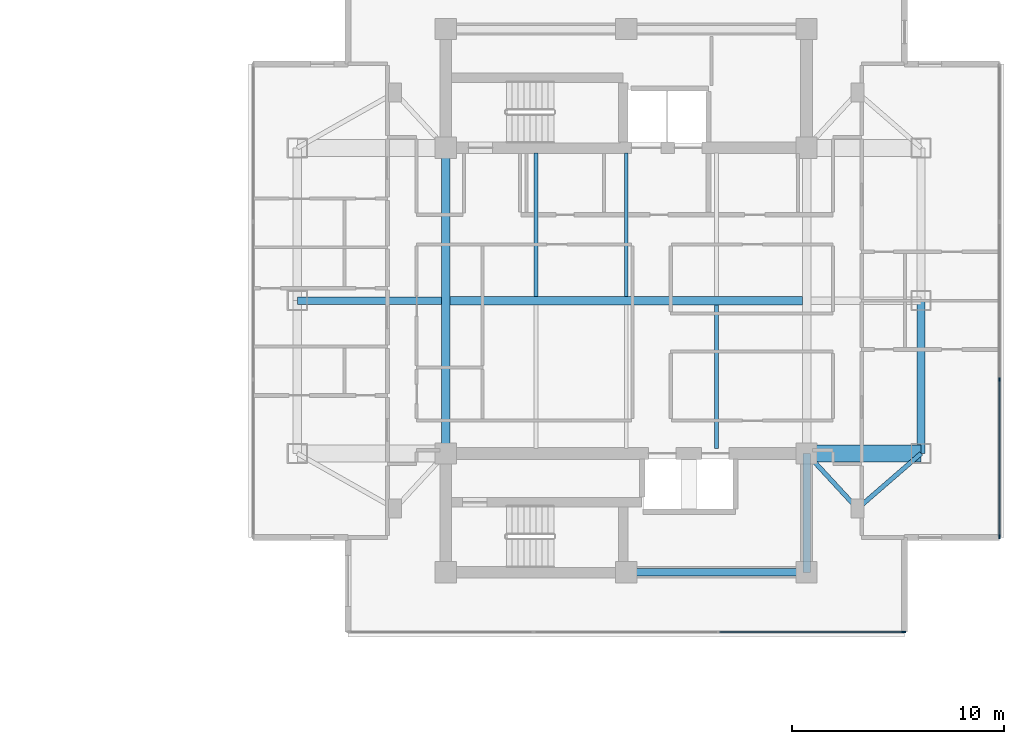
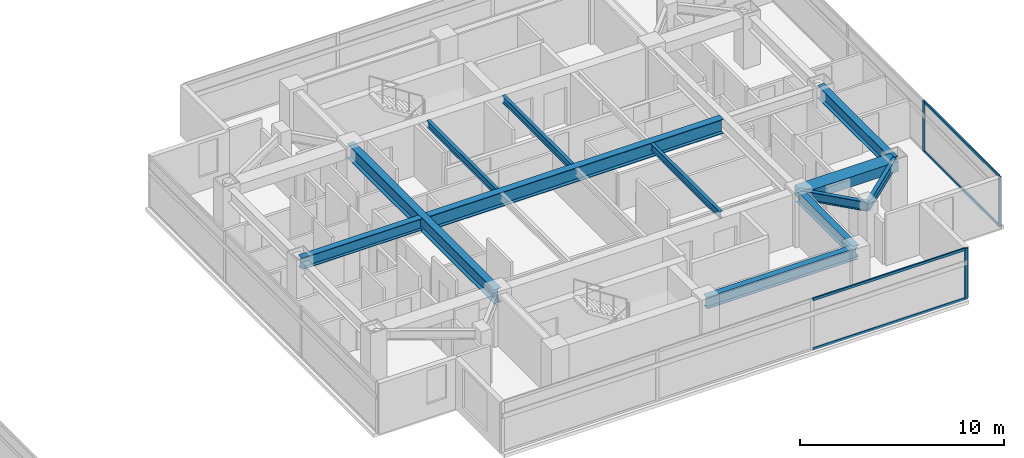
# One storey, part 9 of 24: 12 beams, 7 members, 2 elements without a shape of their own.
"""IFC4 building model written with IfcOpenShell, lengths in metres."""

from ifc_helpers import new_model, si_unit, direction, frame, origin, origin_2d, place, context, subcontext, project, spatial, rectangle, i_section, extrude, material, material_profile, profile_set, type_object, element, aggregate, save


model = new_model("IFC4")

# Units and contexts
model_context = context("Model", 3, precision=1e-05, world=origin(), true_north=direction((0.0, 1.0)))
body_context = subcontext(model_context, "Body", "Model", "MODEL_VIEW")
ifc_project = project(units=[si_unit("LENGTHUNIT", "METRE"), si_unit("AREAUNIT", "SQUARE_METRE"), si_unit("VOLUMEUNIT", "CUBIC_METRE"), si_unit("PLANEANGLEUNIT", "RADIAN"), si_unit("MASSUNIT", "GRAM", prefix="KILO")], contexts=[model_context])

# Site, building, storey
site_placement = place(None, origin())
site = spatial("IfcSite", under=ifc_project, at=site_placement, CompositionType="ELEMENT")
building_placement = place(site_placement, origin())
building = spatial("IfcBuilding", under=site, at=building_placement, Name="Mirazonda Arch Towers", CompositionType="ELEMENT")
storey_placement = place(building_placement, frame((0.0, 0.0, 167.39990234375)))
storey = spatial("IfcBuildingStorey", under=building, at=storey_placement, Name="L47", CompositionType="ELEMENT", Elevation=167.39990234375)

# Beams
ifc_material_1 = material(Name="Steel ASTM A992 Grade 50", Category="steel")
ifc_material_profile_1 = material_profile(ifc_material_1, i_section(OverallWidth=0.381103515625, OverallDepth=0.77294921875, WebThickness=0.0166015625, FlangeThickness=0.027099609375, at=origin_2d()), Name="W30X173")
ifc_profile_set_1 = profile_set([ifc_material_profile_1], Name="Steel ASTM A992 Grade 50")
beam_type_1 = type_object("IfcBeamType", Name="BM-EXT-W30X173", PredefinedType="USERDEFINED", material=ifc_profile_set_1)
beam_1_placement = place(storey_placement, frame((90.39990234375, 20.800048828125, 2.66357421875), z_axis=(0.0, 1.0, 0.0), x_axis=(-1.0, 0.0, 0.0)))
element("IfcBeam", 1, at=beam_1_placement, inside=storey, type_object=beam_type_1, Name="L47 Floor Beam BM-T2-L47-NS-E-20", ObjectType="GIRDER", PredefinedType="USERDEFINED", context=body_context, shape_type="SweptSolid", body=[
    extrude(i_section(OverallWidth=0.381103515625, OverallDepth=0.77294921875, WebThickness=0.0166015625, FlangeThickness=0.027099609375, at=origin_2d()), origin(), (0.0, 0.0, 1.0), 7.199951171875),
])
ifc_material_profile_2 = material_profile(ifc_material_1, i_section(OverallWidth=0.180908203125, OverallDepth=0.4169921875, WebThickness=0.010986328125, FlangeThickness=0.018310546875, at=origin_2d()), Name="W16X57")
ifc_profile_set_2 = profile_set([ifc_material_profile_2], Name="Steel ASTM A992 Grade 50")
beam_type_2 = type_object("IfcBeamType", Name="BM-INT-W16X57", PredefinedType="JOIST", material=ifc_profile_set_2)
for number, where, z_axis, x_axis, name in (
    (2, (72.25, 28.196044921875, 2.841552734375), (0.0, 1.0, 0.0), (-1.0, 0.0, 0.0), "L47 Floor Beam BM-T2-L47-J-722-28"),
    (3, (76.5, 28.196044921875, 2.841552734375), (0.0, 1.0, 0.0), (-1.0, 0.0, 0.0), "L47 Floor Beam BM-T2-L47-J-765-28"),
    (4, (80.75, 21.0400390625, 2.841552734375), (0.0, 1.0, 0.0), (-1.0, 0.0, 0.0), "L47 Floor Beam BM-T2-L47-J-807-20"),
):
    element("IfcBeam", number, at=place(storey_placement, frame(where, z_axis=z_axis, x_axis=x_axis)), inside=storey, type_object=beam_type_2, Name=name, PredefinedType="JOIST", context=body_context, shape_type="SweptSolid", body=[
        extrude(i_section(OverallWidth=0.180908203125, OverallDepth=0.4169921875, WebThickness=0.010986328125, FlangeThickness=0.018310546875, at=origin_2d()), origin(), (0.0, 0.0, 1.0), 6.763916015625),
    ])
ifc_material_profile_3 = material_profile(ifc_material_1, i_section(OverallWidth=0.214111328125, OverallDepth=0.549072265625, WebThickness=0.0146484375, FlangeThickness=0.023681640625, at=origin_2d()), Name="W21X93")
ifc_profile_set_3 = profile_set([ifc_material_profile_3], Name="Steel ASTM A992 Grade 50")
beam_type_3 = type_object("IfcBeamType", Name="BM-INT-W21X93", PredefinedType="BEAM", material=ifc_profile_set_3)
beam_2_placement = place(storey_placement, frame((87.39990234375, 18.199951171875, 2.775634765625), z_axis=(-0.678251444854, 0.734829897019, 0.0), x_axis=(-0.734829897019, -0.678251444854, 0.0)))
element("IfcBeam", 5, at=beam_2_placement, inside=storey, type_object=beam_type_3, Name="L47 Floor Beam BM-T2-L47-PL-SE1", PredefinedType="BEAM", context=body_context, shape_type="SweptSolid", body=[
    extrude(i_section(OverallWidth=0.214111328125, OverallDepth=0.549072265625, WebThickness=0.0146484375, FlangeThickness=0.023681640625, at=origin_2d()), origin(), (0.0, 0.0, 1.0), 3.538330078125),
])
beam_3_placement = place(storey_placement, frame((87.39990234375, 18.199951171875, 2.775634765625), z_axis=(0.755676908098, 0.654944585876, 0.0), x_axis=(-0.654944585876, 0.755676908098, 0.0)))
element("IfcBeam", 6, at=beam_3_placement, inside=storey, type_object=beam_type_3, Name="L47 Floor Beam BM-T2-L47-PL-SE2", PredefinedType="BEAM", context=body_context, shape_type="SweptSolid", body=[
    extrude(i_section(OverallWidth=0.214111328125, OverallDepth=0.549072265625, WebThickness=0.0146484375, FlangeThickness=0.023681640625, at=origin_2d()), origin(), (0.0, 0.0, 1.0), 3.969970703125),
])
ifc_material_profile_4 = material_profile(ifc_material_1, i_section(OverallWidth=0.35498046875, OverallDepth=0.696044921875, WebThickness=0.015380859375, FlangeThickness=0.02490234375, at=origin_2d()), Name="W27X146")
ifc_profile_set_4 = profile_set([ifc_material_profile_4], Name="Steel ASTM A992 Grade 50")
beam_type_4 = type_object("IfcBeamType", Name="BM-INT-W27X146", PredefinedType="BEAM", material=ifc_profile_set_4)
beam_4_placement = place(storey_placement, frame((76.5, 15.199951171875, 2.7021484375), z_axis=(1.0, 0.0, 0.0), x_axis=(0.0, 1.0, 0.0)))
element("IfcBeam", 7, at=beam_4_placement, inside=storey, type_object=beam_type_4, Name="L47 Floor Beam BM-T2-L47-CS2", PredefinedType="BEAM", context=body_context, shape_type="SweptSolid", body=[
    extrude(i_section(OverallWidth=0.35498046875, OverallDepth=0.696044921875, WebThickness=0.015380859375, FlangeThickness=0.02490234375, at=origin_2d()), origin(), (0.0, 0.0, 1.0), 8.5),
])
beam_5_placement = place(storey_placement, frame((85.0, 15.199951171875, 2.7021484375), z_axis=(0.0, 1.0, 0.0), x_axis=(-1.0, 0.0, 0.0)))
element("IfcBeam", 8, at=beam_5_placement, inside=storey, type_object=beam_type_4, Name="L47 Floor Beam BM-T2-L47-CSE", PredefinedType="BEAM", context=body_context, shape_type="SweptSolid", body=[
    extrude(i_section(OverallWidth=0.35498046875, OverallDepth=0.696044921875, WebThickness=0.015380859375, FlangeThickness=0.02490234375, at=origin_2d()), origin(), (0.0, 0.0, 1.0), 5.60009765625),
])
beam_6_placement = place(storey_placement, frame((61.0, 28.0, 2.7021484375), z_axis=(1.0, 0.0, 0.0), x_axis=(0.0, 1.0, 0.0)))
element("IfcBeam", 9, at=beam_6_placement, inside=storey, type_object=beam_type_4, Name="L47 Floor Beam BM-T2-L47-GW2", PredefinedType="BEAM", context=body_context, shape_type="SweptSolid", body=[
    extrude(i_section(OverallWidth=0.35498046875, OverallDepth=0.696044921875, WebThickness=0.015380859375, FlangeThickness=0.02490234375, at=origin_2d()), origin(), (0.0, 0.0, 1.0), 6.800048828125),
])
ifc_material_profile_5 = material_profile(ifc_material_1, i_section(OverallWidth=0.39990234375, OverallDepth=0.85595703125, WebThickness=0.018310546875, FlangeThickness=0.029296875, at=origin_2d()), Name="W33X201")
ifc_profile_set_5 = profile_set([ifc_material_profile_5], Name="Steel ASTM A992 Grade 50")
beam_type_5 = type_object("IfcBeamType", Name="BM-INT-W33X201", PredefinedType="USERDEFINED", material=ifc_profile_set_5)
beam_7_placement = place(storey_placement, frame((68.199951171875, 28.0, 2.6220703125), z_axis=(1.0, 0.0, 0.0), x_axis=(0.0, 1.0, 0.0)))
element("IfcBeam", 10, at=beam_7_placement, inside=storey, type_object=beam_type_5, Name="L47 Floor Beam BM-T2-L47-GC2", ObjectType="GIRDER", PredefinedType="USERDEFINED", context=body_context, shape_type="SweptSolid", body=[
    extrude(i_section(OverallWidth=0.39990234375, OverallDepth=0.85595703125, WebThickness=0.018310546875, FlangeThickness=0.029296875, at=origin_2d()), origin(), (0.0, 0.0, 1.0), 16.60009765625),
])
beam_8_placement = place(storey_placement, frame((68.0, 20.800048828125, 2.6220703125), z_axis=(0.0, 1.0, 0.0), x_axis=(-1.0, 0.0, 0.0)))
element("IfcBeam", 11, at=beam_8_placement, inside=storey, type_object=beam_type_5, Name="L47 Floor Beam BM-T2-L47-NS-CW-FULL", ObjectType="GIRDER", PredefinedType="USERDEFINED", context=body_context, shape_type="SweptSolid", body=[
    extrude(i_section(OverallWidth=0.39990234375, OverallDepth=0.85595703125, WebThickness=0.018310546875, FlangeThickness=0.029296875, at=origin_2d()), origin(), (0.0, 0.0, 1.0), 14.39990234375),
])
ifc_material_2 = material(Name="Concrete C60/75", Category="concrete")
ifc_material_profile_6 = material_profile(ifc_material_2, rectangle(XDim=0.800048828125, YDim=0.60009765625, at=origin_2d()), Name="RCCB800x600")
ifc_profile_set_6 = profile_set([ifc_material_profile_6], Name="Concrete C60/75")
beam_type_6 = type_object("IfcBeamType", Name="CB-INT-RCCB800x600", PredefinedType="SPANDREL", material=ifc_profile_set_6)
beam_9_placement = place(storey_placement, frame((85.0, 20.800048828125, 2.75), z_axis=(1.0, 0.0, 0.0), x_axis=(0.0, 1.0, 0.0)))
element("IfcBeam", 12, at=beam_9_placement, inside=storey, type_object=beam_type_6, Name="L47 Floor Beam CBC-T2-L47-SE", PredefinedType="SPANDREL", context=body_context, shape_type="SweptSolid", body=[
    extrude(rectangle(XDim=0.800048828125, YDim=0.60009765625, at=origin_2d()), origin(), (0.0, 0.0, 1.0), 5.39990234375),
])

# Curtain wall, member
ifc_material_3 = material(Name="Anodised Aluminium and Low-E Glass", Category="aluminium")
curtain_wall_type = type_object("IfcCurtainWallType", Name="CW-RES-UNIT", PredefinedType="NOTDEFINED", material=ifc_material_3)
curtain_wall_1_placement = place(storey_placement, origin())
curtain_wall_1 = element("IfcCurtainWall", 13, at=curtain_wall_1_placement, inside=storey, type_object=curtain_wall_type, Name="L47 T2 S Facade CW-L47-T2-S", PredefinedType="NOTDEFINED")
ifc_material_4 = material(Name="Anodised Aluminium Alloy", Category="aluminium")
ifc_material_profile_7 = material_profile(ifc_material_4, rectangle(XDim=0.074951171875, YDim=0.175048828125, at=origin_2d()), Name="ALU-MULL-75x175")
ifc_profile_set_7 = profile_set([ifc_material_profile_7], Name="Anodised Aluminium Alloy")
member_type_1 = type_object("IfcMemberType", Name="MULL-CW-RES-UNIT", PredefinedType="MULLION", material=ifc_profile_set_7)
member_1_placement = place(storey_placement, frame((89.581787109375, 12.375244140625, 0.0), z_axis=(0.0, 0.0, 1.0), x_axis=(0.0, -1.0, 0.0)))
member_1 = element("IfcMember", 14, at=member_1_placement, type_object=member_type_1, Name="CW-104 mullion 1", PredefinedType="MULLION", context=body_context, shape_type="SweptSolid", body=[
    extrude(rectangle(XDim=0.074951171875, YDim=0.175048828125, at=origin_2d()), origin(), (0.0, 0.0, 1.0), 3.030029296875),
])

# Curtain wall, members
curtain_wall_2_placement = place(storey_placement, origin())
curtain_wall_2 = element("IfcCurtainWall", 15, at=curtain_wall_2_placement, inside=storey, type_object=curtain_wall_type, Name="L47 T2 E Facade CW-L47-T2-E", PredefinedType="NOTDEFINED")
member_2_placement = place(storey_placement, frame((94.08447265625, 16.8779296875, 0.0), z_axis=(0.0, 0.0, 1.0), x_axis=(-1.0, 0.0, 0.0)))
member_2 = element("IfcMember", 16, at=member_2_placement, type_object=member_type_1, Name="CW-104 mullion 1", PredefinedType="MULLION", context=body_context, shape_type="SweptSolid", body=[
    extrude(rectangle(XDim=0.074951171875, YDim=0.175048828125, at=origin_2d()), origin(), (0.0, 0.0, 1.0), 3.030029296875),
])
member_3_placement = place(storey_placement, frame((94.08447265625, 24.2802734375, 0.0), z_axis=(0.0, 0.0, 1.0), x_axis=(-1.0, 0.0, 0.0)))
member_3 = element("IfcMember", 17, at=member_3_placement, type_object=member_type_1, Name="CW-104 mullion 2", PredefinedType="MULLION", context=body_context, shape_type="SweptSolid", body=[
    extrude(rectangle(XDim=0.074951171875, YDim=0.175048828125, at=origin_2d()), origin(), (0.0, 0.0, 1.0), 3.030029296875),
])

# Member
ifc_material_profile_8 = material_profile(ifc_material_4, rectangle(XDim=0.074951171875, YDim=0.155029296875, at=origin_2d()), Name="ALU-TRAN-75x155")
ifc_profile_set_8 = profile_set([ifc_material_profile_8], Name="Anodised Aluminium Alloy")
member_type_2 = type_object("IfcMemberType", Name="TRAN-CW-RES-UNIT", PredefinedType="USERDEFINED", material=ifc_profile_set_8)
member_4_placement = place(storey_placement, frame((89.544189453125, 12.375244140625, 0.03759765625), z_axis=(-1.0, 0.0, 0.0), x_axis=(0.0, -1.0, 0.0)))
member_4 = element("IfcMember", 18, at=member_4_placement, type_object=member_type_2, Name="CW-104 transom 1.1", ObjectType="TRANSOM", PredefinedType="USERDEFINED", context=body_context, shape_type="SweptSolid", body=[
    extrude(rectangle(XDim=0.074951171875, YDim=0.155029296875, at=origin_2d()), origin(), (0.0, 0.0, 1.0), 8.633544921875),
])

member_5_placement = place(storey_placement, frame((89.544189453125, 12.375244140625, 2.99267578125), z_axis=(-1.0, 0.0, 0.0), x_axis=(0.0, -1.0, 0.0)))
member_5 = element("IfcMember", 19, at=member_5_placement, type_object=member_type_2, Name="CW-104 transom 1.2", ObjectType="TRANSOM", PredefinedType="USERDEFINED", context=body_context, shape_type="SweptSolid", body=[
    extrude(rectangle(XDim=0.074951171875, YDim=0.155029296875, at=origin_2d()), origin(), (0.0, 0.0, 1.0), 8.633544921875),
])

aggregate(curtain_wall_1, [member_1, member_4, member_5])

member_6_placement = place(storey_placement, frame((94.08447265625, 16.91552734375, 0.03759765625), z_axis=(0.0, 1.0, 0.0), x_axis=(-1.0, 0.0, 0.0)))
member_6 = element("IfcMember", 20, at=member_6_placement, type_object=member_type_2, Name="CW-104 transom 1.1", ObjectType="TRANSOM", PredefinedType="USERDEFINED", context=body_context, shape_type="SweptSolid", body=[
    extrude(rectangle(XDim=0.074951171875, YDim=0.155029296875, at=origin_2d()), origin(), (0.0, 0.0, 1.0), 7.3271484375),
])

member_7_placement = place(storey_placement, frame((94.08447265625, 16.91552734375, 2.99267578125), z_axis=(0.0, 1.0, 0.0), x_axis=(-1.0, 0.0, 0.0)))
member_7 = element("IfcMember", 21, at=member_7_placement, type_object=member_type_2, Name="CW-104 transom 1.2", ObjectType="TRANSOM", PredefinedType="USERDEFINED", context=body_context, shape_type="SweptSolid", body=[
    extrude(rectangle(XDim=0.074951171875, YDim=0.155029296875, at=origin_2d()), origin(), (0.0, 0.0, 1.0), 7.3271484375),
])

aggregate(curtain_wall_2, [member_2, member_3, member_6, member_7])

save(model, "model.ifc")
